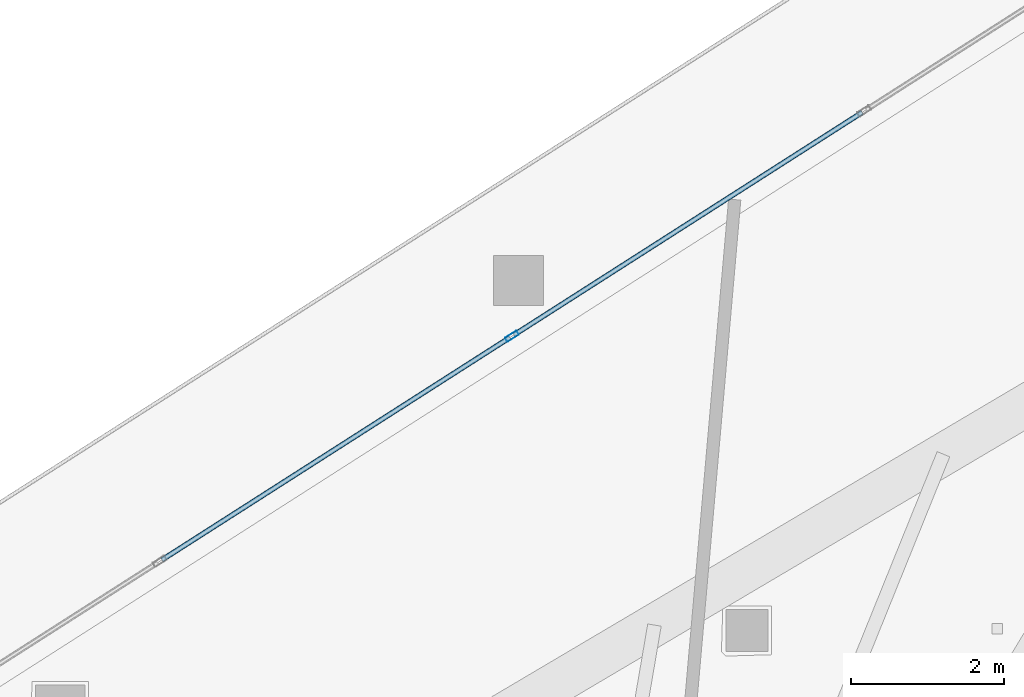
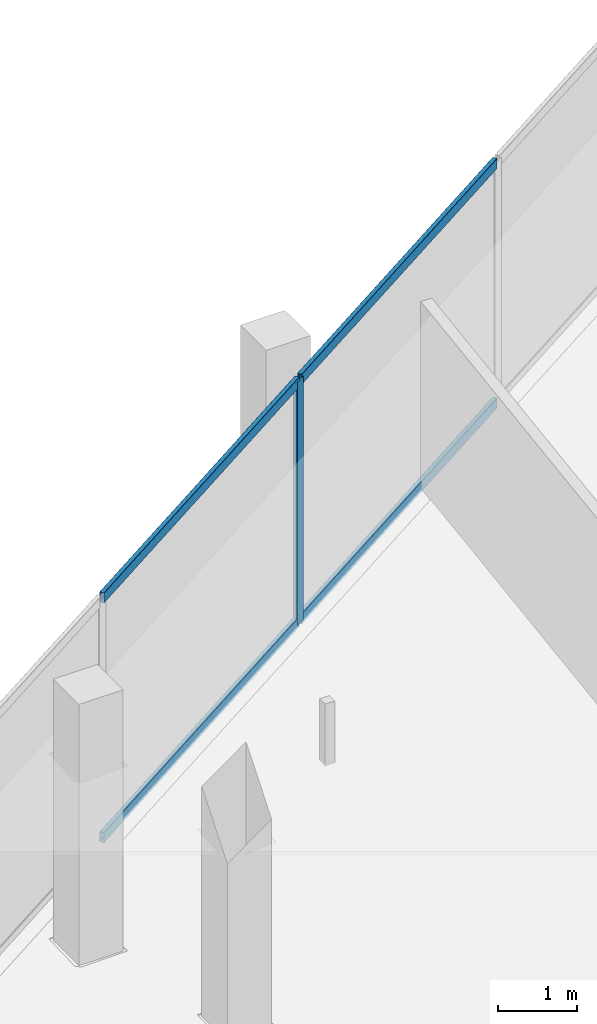
# One storey, part 20 of 38: 5 members, 1 element without a shape of its own.
"""IFC4 building model written with IfcOpenShell, lengths in metres."""

from ifc_helpers import new_model, si_unit, direction, frame, origin, origin_2d, place, context, subcontext, project, spatial, hollow_rectangle, extrude, material, layer, layer_set, material_profile, profile_set, type_object, element, aggregate, save


model = new_model("IFC4")

# Units and contexts
model_context = context("Model", 3, precision=1e-05, world=origin(), true_north=direction((0.0, 1.0)))
body_context = subcontext(model_context, "Body", "Model", "MODEL_VIEW")
ifc_project = project(units=[si_unit("LENGTHUNIT", "METRE"), si_unit("AREAUNIT", "SQUARE_METRE"), si_unit("VOLUMEUNIT", "CUBIC_METRE"), si_unit("PLANEANGLEUNIT", "RADIAN"), si_unit("MASSUNIT", "GRAM", prefix="KILO")], contexts=[model_context])

# Site, building, storey
site_placement = place(None, origin())
site = spatial("IfcSite", under=ifc_project, at=site_placement, CompositionType="ELEMENT")
building_placement = place(site_placement, origin())
building = spatial("IfcBuilding", under=site, at=building_placement, Name="Qorvath Tower", CompositionType="ELEMENT")
storey_placement = place(building_placement, frame((0.0, 0.0, 134.10009765625)))
storey = spatial("IfcBuildingStorey", under=building, at=storey_placement, Name="L30", CompositionType="ELEMENT", Elevation=134.10009765625)

# Curtain wall, members
ifc_material_1 = material(Name="Anodised aluminium and triple low-E glass", Category="aluminium")
ifc_layer = layer(ifc_material_1, 0.179931640625)
ifc_layer_set = layer_set([ifc_layer], Name="CW-SYS-3")
curtain_wall_type = type_object("IfcCurtainWallType", Name="CW-SYS-3", PredefinedType="NOTDEFINED", material=ifc_layer_set)
curtain_wall_placement = place(storey_placement, origin())
curtain_wall = element("IfcCurtainWall", 1, at=curtain_wall_placement, inside=storey, type_object=curtain_wall_type, Name="Curtain Wall CW-3 CW-T-L30-16.1", PredefinedType="NOTDEFINED")
ifc_material_2 = material(Name="Anodised aluminium 6063-T6", Category="aluminium")
ifc_material_profile_1 = material_profile(ifc_material_2, hollow_rectangle(XDim=0.06494140625, YDim=0.179931640625, WallThickness=0.00341796875, InnerFilletRadius=0.00341796875, OuterFilletRadius=0.007080078125, at=origin_2d()), Name="CWM 180x65")
ifc_profile_set_1 = profile_set([ifc_material_profile_1], Name="Anodised aluminium 6063-T6")
member_type_1 = type_object("IfcMemberType", Name="CWM-180", PredefinedType="MULLION", material=ifc_profile_set_1)
member_1_placement = place(storey_placement, frame((-25.12109375, 24.333740234375, 0.0), z_axis=(0.0, 0.0, 1.0), x_axis=(0.538534399095, -0.842603525385, 0.0)))
member_1 = element("IfcMember", 2, at=member_1_placement, type_object=member_type_1, Name="CW-3 mullion 3", PredefinedType="MULLION", context=body_context, shape_type="SweptSolid", body=[
    extrude(hollow_rectangle(XDim=0.06494140625, YDim=0.179931640625, WallThickness=0.00341796875, InnerFilletRadius=0.00341796875, OuterFilletRadius=0.007080078125, at=origin_2d()), origin(), (0.0, 0.0, 1.0), 3.77978515625),
])
ifc_material_3 = material(Name="Anodised aluminium 6063-T6", Category="aluminium")
ifc_material_profile_2 = material_profile(ifc_material_3, hollow_rectangle(XDim=0.06494140625, YDim=0.159912109375, WallThickness=0.00341796875, InnerFilletRadius=0.00341796875, OuterFilletRadius=0.007080078125, at=origin_2d()), Name="CWT 160x65")
ifc_profile_set_2 = profile_set([ifc_material_profile_2], Name="Anodised aluminium 6063-T6")
member_type_2 = type_object("IfcMemberType", Name="CWT-160", PredefinedType="USERDEFINED", material=ifc_profile_set_2)
member_2_placement = place(storey_placement, frame((-20.55322265625, 27.253173828125, 0.032470703125), z_axis=(-0.842602030071, -0.538536738691, 0.0), x_axis=(0.538536738691, -0.842602030071, 0.0)))
member_2 = element("IfcMember", 3, at=member_2_placement, type_object=member_type_2, Name="CW-3 transom 2.1", ObjectType="TRANSOM", PredefinedType="USERDEFINED", context=body_context, shape_type="SweptSolid", body=[
    extrude(hollow_rectangle(XDim=0.06494140625, YDim=0.159912109375, WallThickness=0.00341796875, InnerFilletRadius=0.00341796875, OuterFilletRadius=0.007080078125, at=origin_2d()), origin(), (0.0, 0.0, 1.0), 5.388427734375),
])
member_3_placement = place(storey_placement, frame((-20.55322265625, 27.253173828125, 3.747314453125), z_axis=(-0.842602030071, -0.538536738691, 0.0), x_axis=(0.538536738691, -0.842602030071, 0.0)))
member_3 = element("IfcMember", 4, at=member_3_placement, type_object=member_type_2, Name="CW-3 transom 2.2", ObjectType="TRANSOM", PredefinedType="USERDEFINED", context=body_context, shape_type="SweptSolid", body=[
    extrude(hollow_rectangle(XDim=0.06494140625, YDim=0.159912109375, WallThickness=0.00341796875, InnerFilletRadius=0.00341796875, OuterFilletRadius=0.007080078125, at=origin_2d()), origin(), (0.0, 0.0, 1.0), 5.388427734375),
])
member_4_placement = place(storey_placement, frame((-25.1484375, 24.31640625, 0.032470703125), z_axis=(-0.842602030071, -0.538536738691, 0.0), x_axis=(0.538536738691, -0.842602030071, 0.0)))
member_4 = element("IfcMember", 5, at=member_4_placement, type_object=member_type_2, Name="CW-3 transom 3.1", ObjectType="TRANSOM", PredefinedType="USERDEFINED", context=body_context, shape_type="SweptSolid", body=[
    extrude(hollow_rectangle(XDim=0.06494140625, YDim=0.159912109375, WallThickness=0.00341796875, InnerFilletRadius=0.00341796875, OuterFilletRadius=0.007080078125, at=origin_2d()), origin(), (0.0, 0.0, 1.0), 5.388427734375),
])
member_5_placement = place(storey_placement, frame((-25.1484375, 24.31640625, 3.747314453125), z_axis=(-0.842602030071, -0.538536738691, 0.0), x_axis=(0.538536738691, -0.842602030071, 0.0)))
member_5 = element("IfcMember", 6, at=member_5_placement, type_object=member_type_2, Name="CW-3 transom 3.2", ObjectType="TRANSOM", PredefinedType="USERDEFINED", context=body_context, shape_type="SweptSolid", body=[
    extrude(hollow_rectangle(XDim=0.06494140625, YDim=0.159912109375, WallThickness=0.00341796875, InnerFilletRadius=0.00341796875, OuterFilletRadius=0.007080078125, at=origin_2d()), origin(), (0.0, 0.0, 1.0), 5.388427734375),
])
aggregate(curtain_wall, [member_1, member_2, member_3, member_4, member_5])

save(model, "model.ifc")
